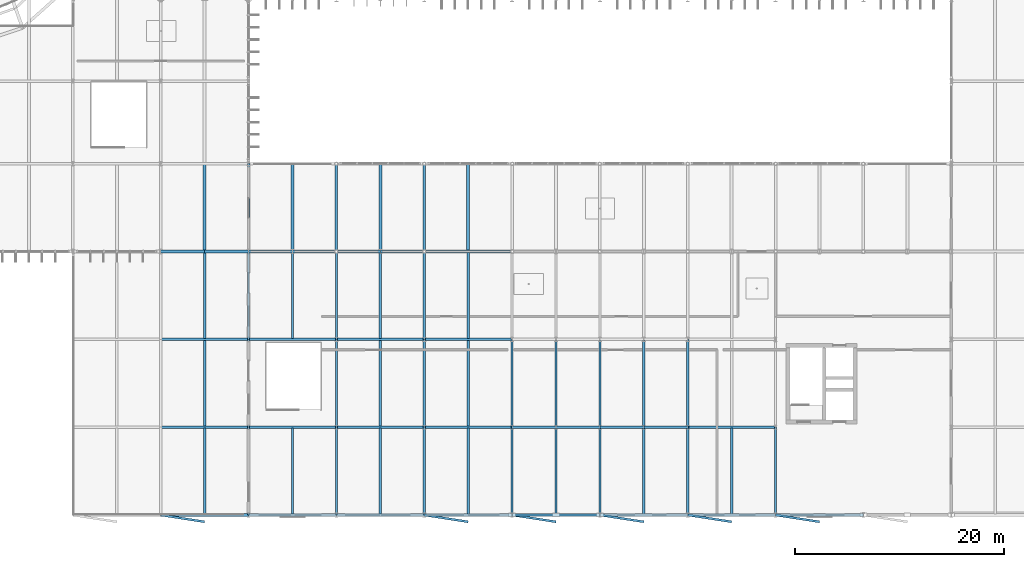
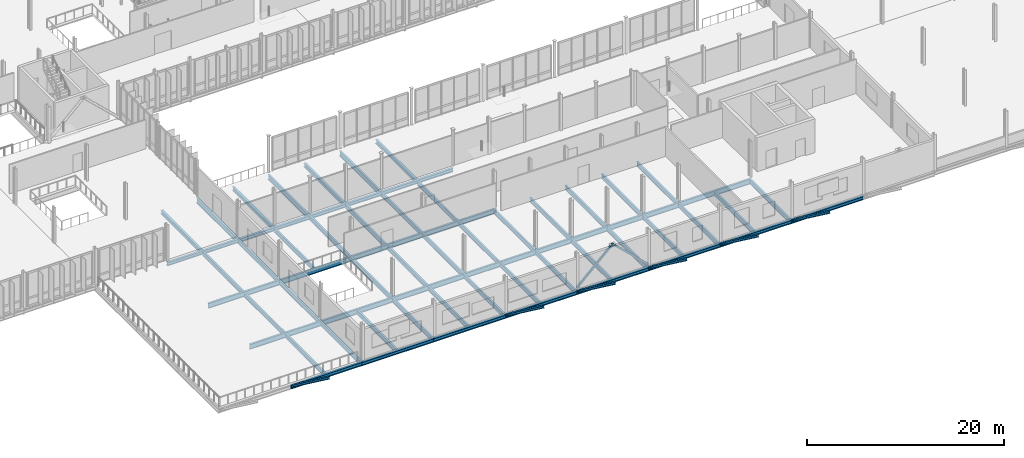
# One storey, part 33 of 139: 73 beams, 2 members.
"""IFC4 building model written with IfcOpenShell, lengths in metres."""

from ifc_helpers import new_model, si_unit, derived_unit, direction, frame, origin, origin_2d, place, context, subcontext, project, spatial, hollow_rectangle, i_section, extrude, material, material_profile, profile_set, type_object, element, save


model = new_model("IFC4")

# Units and contexts
model_context = context("Model", 3, precision=1e-05, world=origin(), true_north=direction((0.0, 1.0)))
body_context = subcontext(model_context, "Body", "Model", "MODEL_VIEW")
ifc_project = project(units=[si_unit("LENGTHUNIT", "METRE"), si_unit("AREAUNIT", "SQUARE_METRE"), si_unit("VOLUMEUNIT", "CUBIC_METRE"), si_unit("PLANEANGLEUNIT", "RADIAN"), si_unit("MASSUNIT", "GRAM", prefix="KILO"), derived_unit("THERMALTRANSMITTANCEUNIT", [(si_unit("MASSUNIT", "GRAM", prefix="KILO"), 1), (si_unit("TIMEUNIT", "SECOND"), -3), (si_unit("THERMODYNAMICTEMPERATUREUNIT", "KELVIN"), -1)])], contexts=[model_context])

# Site, building, storey
site_placement = place(None, origin())
site = spatial("IfcSite", under=ifc_project, at=site_placement, CompositionType="ELEMENT")
building_placement = place(site_placement, origin())
building = spatial("IfcBuilding", under=site, at=building_placement, Name="Makaiwela Harbour Ferry Terminal", CompositionType="ELEMENT")
storey_placement = place(building_placement, frame((0.0, 0.0, 5.10009765625)))
storey = spatial("IfcBuildingStorey", under=building, at=storey_placement, Name="L01", CompositionType="ELEMENT", Elevation=5.10009765625)

# Beams
ifc_material_1 = material(Name="Steel ASTM A992 Grade 50", Category="steel")
ifc_material_profile_1 = material_profile(ifc_material_1, i_section(OverallWidth=0.280029296875, OverallDepth=0.462890625, WebThickness=0.0107421875, FlangeThickness=0.017333984375, at=origin_2d()), Name="W18X76")
ifc_profile_set_1 = profile_set([ifc_material_profile_1], Name="Steel ASTM A992 Grade 50")
beam_type_1 = type_object("IfcBeamType", Name="STR-BM-W18X76", PredefinedType="BEAM", material=ifc_profile_set_1)
for number, where, z_axis, x_axis, name in (
    (1, (67.199951171875, 25.314453125, -0.51171875), (0.0, 1.0, 0.0), (-1.0, 0.0, 0.0), "Secondary floor beam 1078"),
    (2, (75.60009765625, 25.314453125, -0.551513671875), (0.0, 1.0, 0.0), (-1.0, 0.0, 0.0), "Secondary floor beam 1088"),
    (3, (84.0, 25.314453125, -0.551513671875), (0.0, 1.0, 0.0), (-1.0, 0.0, 0.0), "Secondary floor beam 1097"),
    (4, (92.39990234375, 25.314453125, -0.551513671875), (0.0, 1.0, 0.0), (-1.0, 0.0, 0.0), "Secondary floor beam 1105"),
):
    element("IfcBeam", number, at=place(storey_placement, frame(where, z_axis=z_axis, x_axis=x_axis)), inside=storey, type_object=beam_type_1, Name=name, PredefinedType="BEAM", context=body_context, shape_type="SweptSolid", body=[
        extrude(i_section(OverallWidth=0.280029296875, OverallDepth=0.462890625, WebThickness=0.0107421875, FlangeThickness=0.017333984375, at=origin_2d()), origin(), (0.0, 0.0, 1.0), 8.18896484375),
    ])
ifc_material_profile_2 = material_profile(ifc_material_1, i_section(OverallWidth=0.214111328125, OverallDepth=0.549072265625, WebThickness=0.0146484375, FlangeThickness=0.023681640625, at=origin_2d()), Name="W21X93")
ifc_profile_set_2 = profile_set([ifc_material_profile_2], Name="Steel ASTM A992 Grade 50")
beam_type_2 = type_object("IfcBeamType", Name="STR-BM-W21X93", PredefinedType="BEAM", material=ifc_profile_set_2)
beam_1_placement = place(storey_placement, frame((71.39990234375, 0.0, -0.57470703125), z_axis=(0.0, 1.0, 0.0), x_axis=(-1.0, 0.0, 0.0)))
element("IfcBeam", 5, at=beam_1_placement, inside=storey, type_object=beam_type_2, Name="Primary Y girder 934", PredefinedType="BEAM", context=body_context, shape_type="SweptSolid", body=[
    extrude(i_section(OverallWidth=0.214111328125, OverallDepth=0.549072265625, WebThickness=0.0146484375, FlangeThickness=0.023681640625, at=origin_2d()), origin(), (0.0, 0.0, 1.0), 8.39990234375),
])
beam_2_placement = place(storey_placement, frame((71.39990234375, 8.39990234375, -0.57470703125), z_axis=(0.0, 1.0, 0.0), x_axis=(-1.0, 0.0, 0.0)))
element("IfcBeam", 6, at=beam_2_placement, inside=storey, type_object=beam_type_2, Name="Primary Y girder 935", PredefinedType="BEAM", context=body_context, shape_type="SweptSolid", body=[
    extrude(i_section(OverallWidth=0.214111328125, OverallDepth=0.549072265625, WebThickness=0.0146484375, FlangeThickness=0.023681640625, at=origin_2d()), origin(), (0.0, 0.0, 1.0), 8.400146484375),
])
for number, where, z_axis, x_axis, name in (
    (7, (71.39990234375, 16.800048828125, -0.57470703125), (0.0, 1.0, 0.0), (-1.0, 0.0, 0.0), "Primary Y girder 936"),
    (8, (79.800048828125, 0.0, -0.57470703125), (0.0, 1.0, 0.0), (-1.0, 0.0, 0.0), "Primary Y girder 946"),
):
    element("IfcBeam", number, at=place(storey_placement, frame(where, z_axis=z_axis, x_axis=x_axis)), inside=storey, type_object=beam_type_2, Name=name, PredefinedType="BEAM", context=body_context, shape_type="SweptSolid", body=[
        extrude(i_section(OverallWidth=0.214111328125, OverallDepth=0.549072265625, WebThickness=0.0146484375, FlangeThickness=0.023681640625, at=origin_2d()), origin(), (0.0, 0.0, 1.0), 8.39990234375),
    ])
beam_3_placement = place(storey_placement, frame((79.800048828125, 8.39990234375, -0.57470703125), z_axis=(0.0, 1.0, 0.0), x_axis=(-1.0, 0.0, 0.0)))
element("IfcBeam", 9, at=beam_3_placement, inside=storey, type_object=beam_type_2, Name="Primary Y girder 947", PredefinedType="BEAM", context=body_context, shape_type="SweptSolid", body=[
    extrude(i_section(OverallWidth=0.214111328125, OverallDepth=0.549072265625, WebThickness=0.0146484375, FlangeThickness=0.023681640625, at=origin_2d()), origin(), (0.0, 0.0, 1.0), 8.400146484375),
])
for number, where, z_axis, x_axis, name in (
    (10, (79.800048828125, 16.800048828125, -0.57470703125), (0.0, 1.0, 0.0), (-1.0, 0.0, 0.0), "Primary Y girder 948"),
    (11, (88.199951171875, 0.0, -0.57470703125), (0.0, 1.0, 0.0), (-1.0, 0.0, 0.0), "Primary Y girder 956"),
):
    element("IfcBeam", number, at=place(storey_placement, frame(where, z_axis=z_axis, x_axis=x_axis)), inside=storey, type_object=beam_type_2, Name=name, PredefinedType="BEAM", context=body_context, shape_type="SweptSolid", body=[
        extrude(i_section(OverallWidth=0.214111328125, OverallDepth=0.549072265625, WebThickness=0.0146484375, FlangeThickness=0.023681640625, at=origin_2d()), origin(), (0.0, 0.0, 1.0), 8.39990234375),
    ])
beam_4_placement = place(storey_placement, frame((88.199951171875, 8.39990234375, -0.57470703125), z_axis=(0.0, 1.0, 0.0), x_axis=(-1.0, 0.0, 0.0)))
element("IfcBeam", 12, at=beam_4_placement, inside=storey, type_object=beam_type_2, Name="Primary Y girder 957", PredefinedType="BEAM", context=body_context, shape_type="SweptSolid", body=[
    extrude(i_section(OverallWidth=0.214111328125, OverallDepth=0.549072265625, WebThickness=0.0146484375, FlangeThickness=0.023681640625, at=origin_2d()), origin(), (0.0, 0.0, 1.0), 8.400146484375),
])
for number, where, z_axis, x_axis, name in (
    (13, (88.199951171875, 16.800048828125, -0.57470703125), (0.0, 1.0, 0.0), (-1.0, 0.0, 0.0), "Primary Y girder 958"),
    (14, (96.60009765625, 0.0, -0.57470703125), (0.0, 1.0, 0.0), (-1.0, 0.0, 0.0), "Primary Y girder 964"),
):
    element("IfcBeam", number, at=place(storey_placement, frame(where, z_axis=z_axis, x_axis=x_axis)), inside=storey, type_object=beam_type_2, Name=name, PredefinedType="BEAM", context=body_context, shape_type="SweptSolid", body=[
        extrude(i_section(OverallWidth=0.214111328125, OverallDepth=0.549072265625, WebThickness=0.0146484375, FlangeThickness=0.023681640625, at=origin_2d()), origin(), (0.0, 0.0, 1.0), 8.39990234375),
    ])
beam_5_placement = place(storey_placement, frame((96.60009765625, 8.39990234375, -0.57470703125), z_axis=(0.0, 1.0, 0.0), x_axis=(-1.0, 0.0, 0.0)))
element("IfcBeam", 15, at=beam_5_placement, inside=storey, type_object=beam_type_2, Name="Primary Y girder 965", PredefinedType="BEAM", context=body_context, shape_type="SweptSolid", body=[
    extrude(i_section(OverallWidth=0.214111328125, OverallDepth=0.549072265625, WebThickness=0.0146484375, FlangeThickness=0.023681640625, at=origin_2d()), origin(), (0.0, 0.0, 1.0), 8.400146484375),
])
beam_6_placement = place(storey_placement, frame((105.0, 0.0, -0.57470703125), z_axis=(0.0, 1.0, 0.0), x_axis=(-1.0, 0.0, 0.0)))
element("IfcBeam", 16, at=beam_6_placement, inside=storey, type_object=beam_type_2, Name="Primary Y girder 972", PredefinedType="BEAM", context=body_context, shape_type="SweptSolid", body=[
    extrude(i_section(OverallWidth=0.214111328125, OverallDepth=0.549072265625, WebThickness=0.0146484375, FlangeThickness=0.023681640625, at=origin_2d()), origin(), (0.0, 0.0, 1.0), 8.39990234375),
])
beam_7_placement = place(storey_placement, frame((105.0, 8.39990234375, -0.57470703125), z_axis=(0.0, 1.0, 0.0), x_axis=(-1.0, 0.0, 0.0)))
element("IfcBeam", 17, at=beam_7_placement, inside=storey, type_object=beam_type_2, Name="Primary Y girder 973", PredefinedType="BEAM", context=body_context, shape_type="SweptSolid", body=[
    extrude(i_section(OverallWidth=0.214111328125, OverallDepth=0.549072265625, WebThickness=0.0146484375, FlangeThickness=0.023681640625, at=origin_2d()), origin(), (0.0, 0.0, 1.0), 8.400146484375),
])
beam_8_placement = place(storey_placement, frame((113.39990234375, 0.0, -0.57470703125), z_axis=(0.0, 1.0, 0.0), x_axis=(-1.0, 0.0, 0.0)))
element("IfcBeam", 18, at=beam_8_placement, inside=storey, type_object=beam_type_2, Name="Primary Y girder 980", PredefinedType="BEAM", context=body_context, shape_type="SweptSolid", body=[
    extrude(i_section(OverallWidth=0.214111328125, OverallDepth=0.549072265625, WebThickness=0.0146484375, FlangeThickness=0.023681640625, at=origin_2d()), origin(), (0.0, 0.0, 1.0), 8.39990234375),
])
beam_9_placement = place(storey_placement, frame((113.39990234375, 8.39990234375, -0.57470703125), z_axis=(0.0, 1.0, 0.0), x_axis=(-1.0, 0.0, 0.0)))
element("IfcBeam", 19, at=beam_9_placement, inside=storey, type_object=beam_type_2, Name="Primary Y girder 981", PredefinedType="BEAM", context=body_context, shape_type="SweptSolid", body=[
    extrude(i_section(OverallWidth=0.214111328125, OverallDepth=0.549072265625, WebThickness=0.0146484375, FlangeThickness=0.023681640625, at=origin_2d()), origin(), (0.0, 0.0, 1.0), 8.400146484375),
])
beam_10_placement = place(storey_placement, frame((121.800048828125, 0.0, -0.57470703125), z_axis=(0.0, 1.0, 0.0), x_axis=(-1.0, 0.0, 0.0)))
element("IfcBeam", 20, at=beam_10_placement, inside=storey, type_object=beam_type_2, Name="Primary Y girder 990", PredefinedType="BEAM", context=body_context, shape_type="SweptSolid", body=[
    extrude(i_section(OverallWidth=0.214111328125, OverallDepth=0.549072265625, WebThickness=0.0146484375, FlangeThickness=0.023681640625, at=origin_2d()), origin(), (0.0, 0.0, 1.0), 8.39990234375),
])
beam_11_placement = place(storey_placement, frame((67.199951171875, 0.114501953125, -0.5546875), z_axis=(0.0, 1.0, 0.0), x_axis=(-1.0, 0.0, 0.0)))
element("IfcBeam", 21, at=beam_11_placement, inside=storey, type_object=beam_type_2, Name="Secondary floor beam 1075", PredefinedType="BEAM", context=body_context, shape_type="SweptSolid", body=[
    extrude(i_section(OverallWidth=0.214111328125, OverallDepth=0.549072265625, WebThickness=0.0146484375, FlangeThickness=0.023681640625, at=origin_2d()), origin(), (0.0, 0.0, 1.0), 8.18896484375),
])
beam_12_placement = place(storey_placement, frame((67.199951171875, 8.49658203125, -0.5546875), z_axis=(0.0, 1.0, 0.0), x_axis=(-1.0, 0.0, 0.0)))
element("IfcBeam", 22, at=beam_12_placement, inside=storey, type_object=beam_type_2, Name="Secondary floor beam 1076", PredefinedType="BEAM", context=body_context, shape_type="SweptSolid", body=[
    extrude(i_section(OverallWidth=0.214111328125, OverallDepth=0.549072265625, WebThickness=0.0146484375, FlangeThickness=0.023681640625, at=origin_2d()), origin(), (0.0, 0.0, 1.0), 8.20703125),
])
for number, where, z_axis, x_axis, name in (
    (23, (67.199951171875, 16.896484375, -0.5546875), (0.0, 1.0, 0.0), (-1.0, 0.0, 0.0), "Secondary floor beam 1077"),
    (24, (75.60009765625, 0.114501953125, -0.57470703125), (0.0, 1.0, 0.0), (-1.0, 0.0, 0.0), "Secondary floor beam 1086"),
    (25, (75.60009765625, 16.896484375, -0.594482421875), (0.0, 1.0, 0.0), (-1.0, 0.0, 0.0), "Secondary floor beam 1087"),
    (26, (84.0, 0.114501953125, -0.57470703125), (0.0, 1.0, 0.0), (-1.0, 0.0, 0.0), "Secondary floor beam 1094"),
):
    element("IfcBeam", number, at=place(storey_placement, frame(where, z_axis=z_axis, x_axis=x_axis)), inside=storey, type_object=beam_type_2, Name=name, PredefinedType="BEAM", context=body_context, shape_type="SweptSolid", body=[
        extrude(i_section(OverallWidth=0.214111328125, OverallDepth=0.549072265625, WebThickness=0.0146484375, FlangeThickness=0.023681640625, at=origin_2d()), origin(), (0.0, 0.0, 1.0), 8.18896484375),
    ])
beam_13_placement = place(storey_placement, frame((84.0, 8.49658203125, -0.57470703125), z_axis=(0.0, 1.0, 0.0), x_axis=(-1.0, 0.0, 0.0)))
element("IfcBeam", 27, at=beam_13_placement, inside=storey, type_object=beam_type_2, Name="Secondary floor beam 1095", PredefinedType="BEAM", context=body_context, shape_type="SweptSolid", body=[
    extrude(i_section(OverallWidth=0.214111328125, OverallDepth=0.549072265625, WebThickness=0.0146484375, FlangeThickness=0.023681640625, at=origin_2d()), origin(), (0.0, 0.0, 1.0), 8.20703125),
])
for number, where, z_axis, x_axis, name in (
    (28, (84.0, 16.896484375, -0.594482421875), (0.0, 1.0, 0.0), (-1.0, 0.0, 0.0), "Secondary floor beam 1096"),
    (29, (92.39990234375, 0.114501953125, -0.57470703125), (0.0, 1.0, 0.0), (-1.0, 0.0, 0.0), "Secondary floor beam 1102"),
):
    element("IfcBeam", number, at=place(storey_placement, frame(where, z_axis=z_axis, x_axis=x_axis)), inside=storey, type_object=beam_type_2, Name=name, PredefinedType="BEAM", context=body_context, shape_type="SweptSolid", body=[
        extrude(i_section(OverallWidth=0.214111328125, OverallDepth=0.549072265625, WebThickness=0.0146484375, FlangeThickness=0.023681640625, at=origin_2d()), origin(), (0.0, 0.0, 1.0), 8.18896484375),
    ])
beam_14_placement = place(storey_placement, frame((92.39990234375, 8.49658203125, -0.57470703125), z_axis=(0.0, 1.0, 0.0), x_axis=(-1.0, 0.0, 0.0)))
element("IfcBeam", 30, at=beam_14_placement, inside=storey, type_object=beam_type_2, Name="Secondary floor beam 1103", PredefinedType="BEAM", context=body_context, shape_type="SweptSolid", body=[
    extrude(i_section(OverallWidth=0.214111328125, OverallDepth=0.549072265625, WebThickness=0.0146484375, FlangeThickness=0.023681640625, at=origin_2d()), origin(), (0.0, 0.0, 1.0), 8.20703125),
])
for number, where, z_axis, x_axis, name in (
    (31, (92.39990234375, 16.896484375, -0.594482421875), (0.0, 1.0, 0.0), (-1.0, 0.0, 0.0), "Secondary floor beam 1104"),
    (32, (100.800048828125, 0.114501953125, -0.57470703125), (0.0, 1.0, 0.0), (-1.0, 0.0, 0.0), "Secondary floor beam 1110"),
):
    element("IfcBeam", number, at=place(storey_placement, frame(where, z_axis=z_axis, x_axis=x_axis)), inside=storey, type_object=beam_type_2, Name=name, PredefinedType="BEAM", context=body_context, shape_type="SweptSolid", body=[
        extrude(i_section(OverallWidth=0.214111328125, OverallDepth=0.549072265625, WebThickness=0.0146484375, FlangeThickness=0.023681640625, at=origin_2d()), origin(), (0.0, 0.0, 1.0), 8.18896484375),
    ])
beam_15_placement = place(storey_placement, frame((100.800048828125, 8.49658203125, -0.57470703125), z_axis=(0.0, 1.0, 0.0), x_axis=(-1.0, 0.0, 0.0)))
element("IfcBeam", 33, at=beam_15_placement, inside=storey, type_object=beam_type_2, Name="Secondary floor beam 1111", PredefinedType="BEAM", context=body_context, shape_type="SweptSolid", body=[
    extrude(i_section(OverallWidth=0.214111328125, OverallDepth=0.549072265625, WebThickness=0.0146484375, FlangeThickness=0.023681640625, at=origin_2d()), origin(), (0.0, 0.0, 1.0), 8.20703125),
])
beam_16_placement = place(storey_placement, frame((109.199951171875, 0.114501953125, -0.57470703125), z_axis=(0.0, 1.0, 0.0), x_axis=(-1.0, 0.0, 0.0)))
element("IfcBeam", 34, at=beam_16_placement, inside=storey, type_object=beam_type_2, Name="Secondary floor beam 1118", PredefinedType="BEAM", context=body_context, shape_type="SweptSolid", body=[
    extrude(i_section(OverallWidth=0.214111328125, OverallDepth=0.549072265625, WebThickness=0.0146484375, FlangeThickness=0.023681640625, at=origin_2d()), origin(), (0.0, 0.0, 1.0), 8.18896484375),
])
beam_17_placement = place(storey_placement, frame((109.199951171875, 8.49658203125, -0.57470703125), z_axis=(0.0, 1.0, 0.0), x_axis=(-1.0, 0.0, 0.0)))
element("IfcBeam", 35, at=beam_17_placement, inside=storey, type_object=beam_type_2, Name="Secondary floor beam 1119", PredefinedType="BEAM", context=body_context, shape_type="SweptSolid", body=[
    extrude(i_section(OverallWidth=0.214111328125, OverallDepth=0.549072265625, WebThickness=0.0146484375, FlangeThickness=0.023681640625, at=origin_2d()), origin(), (0.0, 0.0, 1.0), 8.20703125),
])
beam_18_placement = place(storey_placement, frame((117.60009765625, 0.114501953125, -0.57470703125), z_axis=(0.0, 1.0, 0.0), x_axis=(-1.0, 0.0, 0.0)))
element("IfcBeam", 36, at=beam_18_placement, inside=storey, type_object=beam_type_2, Name="Secondary floor beam 1126", PredefinedType="BEAM", context=body_context, shape_type="SweptSolid", body=[
    extrude(i_section(OverallWidth=0.214111328125, OverallDepth=0.549072265625, WebThickness=0.0146484375, FlangeThickness=0.023681640625, at=origin_2d()), origin(), (0.0, 0.0, 1.0), 8.18896484375),
])

# Members
ifc_material_2 = material(Name="Steel ASTM A500 Grade C", Category="steel")
ifc_material_profile_3 = material_profile(ifc_material_2, hollow_rectangle(XDim=0.202880859375, YDim=0.202880859375, WallThickness=0.01171875, at=origin_2d()), Name="HSS8X8X1/2")
ifc_profile_set_3 = profile_set([ifc_material_profile_3], Name="Steel ASTM A500 Grade C")
member_type = type_object("IfcMemberType", Name="STR-BRC-HSS8", PredefinedType="BRACE", material=ifc_profile_set_3)
for number, where, z_axis, x_axis, name in (
    (37, (96.60009765625, 0.0, 0.0498046875), (0.724596537153, 0.0, 0.689173315172), (0.0, 1.0, 0.0), "Lateral chevron brace 4A"),
    (38, (105.0, 0.0, 0.0498046875), (-0.724596537153, 0.0, 0.689173315172), (0.0, -1.0, 0.0), "Lateral chevron brace 4B"),
):
    element("IfcMember", number, at=place(storey_placement, frame(where, z_axis=z_axis, x_axis=x_axis)), inside=storey, type_object=member_type, Name=name, PredefinedType="BRACE", context=body_context, shape_type="SweptSolid", body=[
        extrude(hollow_rectangle(XDim=0.202880859375, YDim=0.202880859375, WallThickness=0.01171875, at=origin_2d()), origin(), (0.0, 0.0, 1.0), 5.796142578125),
    ])

# Beams
ifc_material_profile_4 = material_profile(ifc_material_1, i_section(OverallWidth=0.22900390625, OverallDepth=0.612060546875, WebThickness=0.011962890625, FlangeThickness=0.01953125, at=origin_2d()), Name="W24X84")
ifc_profile_set_4 = profile_set([ifc_material_profile_4], Name="Steel ASTM A992 Grade 50")
beam_type_3 = type_object("IfcBeamType", Name="STR-GRD-W24X84", PredefinedType="USERDEFINED", material=ifc_profile_set_4)
beam_19_placement = place(storey_placement, frame((63.0, 8.39990234375, -0.586181640625), z_axis=(1.0, 0.0, 0.0), x_axis=(0.0, 1.0, 0.0)))
element("IfcBeam", 39, at=beam_19_placement, inside=storey, type_object=beam_type_3, Name="Primary X girder 727", ObjectType="GIRDER", PredefinedType="USERDEFINED", context=body_context, shape_type="SweptSolid", body=[
    extrude(i_section(OverallWidth=0.22900390625, OverallDepth=0.612060546875, WebThickness=0.011962890625, FlangeThickness=0.01953125, at=origin_2d()), origin(), (0.0, 0.0, 1.0), 8.39990234375),
])
beam_20_placement = place(storey_placement, frame((71.39990234375, 8.39990234375, -0.606201171875), z_axis=(1.0, 0.0, 0.0), x_axis=(0.0, 1.0, 0.0)))
element("IfcBeam", 40, at=beam_20_placement, inside=storey, type_object=beam_type_3, Name="Primary X girder 728", ObjectType="GIRDER", PredefinedType="USERDEFINED", context=body_context, shape_type="SweptSolid", body=[
    extrude(i_section(OverallWidth=0.22900390625, OverallDepth=0.612060546875, WebThickness=0.011962890625, FlangeThickness=0.01953125, at=origin_2d()), origin(), (0.0, 0.0, 1.0), 8.400146484375),
])
beam_21_placement = place(storey_placement, frame((79.800048828125, 8.39990234375, -0.606201171875), z_axis=(1.0, 0.0, 0.0), x_axis=(0.0, 1.0, 0.0)))
element("IfcBeam", 41, at=beam_21_placement, inside=storey, type_object=beam_type_3, Name="Primary X girder 729", ObjectType="GIRDER", PredefinedType="USERDEFINED", context=body_context, shape_type="SweptSolid", body=[
    extrude(i_section(OverallWidth=0.22900390625, OverallDepth=0.612060546875, WebThickness=0.011962890625, FlangeThickness=0.01953125, at=origin_2d()), origin(), (0.0, 0.0, 1.0), 8.39990234375),
])
beam_22_placement = place(storey_placement, frame((88.199951171875, 8.39990234375, -0.606201171875), z_axis=(1.0, 0.0, 0.0), x_axis=(0.0, 1.0, 0.0)))
element("IfcBeam", 42, at=beam_22_placement, inside=storey, type_object=beam_type_3, Name="Primary X girder 730", ObjectType="GIRDER", PredefinedType="USERDEFINED", context=body_context, shape_type="SweptSolid", body=[
    extrude(i_section(OverallWidth=0.22900390625, OverallDepth=0.612060546875, WebThickness=0.011962890625, FlangeThickness=0.01953125, at=origin_2d()), origin(), (0.0, 0.0, 1.0), 8.400146484375),
])
for number, where, z_axis, x_axis, name in (
    (43, (96.60009765625, 8.39990234375, -0.606201171875), (1.0, 0.0, 0.0), (0.0, 1.0, 0.0), "Primary X girder 731"),
    (44, (100.800048828125, 8.39990234375, -0.606201171875), (1.0, 0.0, 0.0), (0.0, 1.0, 0.0), "Primary X girder 732"),
    (45, (105.0, 8.39990234375, -0.606201171875), (1.0, 0.0, 0.0), (0.0, 1.0, 0.0), "Primary X girder 733"),
    (46, (109.199951171875, 8.39990234375, -0.606201171875), (1.0, 0.0, 0.0), (0.0, 1.0, 0.0), "Primary X girder 734"),
):
    element("IfcBeam", number, at=place(storey_placement, frame(where, z_axis=z_axis, x_axis=x_axis)), inside=storey, type_object=beam_type_3, Name=name, ObjectType="GIRDER", PredefinedType="USERDEFINED", context=body_context, shape_type="SweptSolid", body=[
        extrude(i_section(OverallWidth=0.22900390625, OverallDepth=0.612060546875, WebThickness=0.011962890625, FlangeThickness=0.01953125, at=origin_2d()), origin(), (0.0, 0.0, 1.0), 4.199951171875),
    ])
beam_23_placement = place(storey_placement, frame((113.39990234375, 8.39990234375, -0.606201171875), z_axis=(1.0, 0.0, 0.0), x_axis=(0.0, 1.0, 0.0)))
element("IfcBeam", 47, at=beam_23_placement, inside=storey, type_object=beam_type_3, Name="Primary X girder 735", ObjectType="GIRDER", PredefinedType="USERDEFINED", context=body_context, shape_type="SweptSolid", body=[
    extrude(i_section(OverallWidth=0.22900390625, OverallDepth=0.612060546875, WebThickness=0.011962890625, FlangeThickness=0.01953125, at=origin_2d()), origin(), (0.0, 0.0, 1.0), 8.400146484375),
])
beam_24_placement = place(storey_placement, frame((63.0, 16.800048828125, -0.586181640625), z_axis=(1.0, 0.0, 0.0), x_axis=(0.0, 1.0, 0.0)))
element("IfcBeam", 48, at=beam_24_placement, inside=storey, type_object=beam_type_3, Name="Primary X girder 741", ObjectType="GIRDER", PredefinedType="USERDEFINED", context=body_context, shape_type="SweptSolid", body=[
    extrude(i_section(OverallWidth=0.22900390625, OverallDepth=0.612060546875, WebThickness=0.011962890625, FlangeThickness=0.01953125, at=origin_2d()), origin(), (0.0, 0.0, 1.0), 8.39990234375),
])
beam_25_placement = place(storey_placement, frame((71.39990234375, 16.800048828125, -0.606201171875), z_axis=(1.0, 0.0, 0.0), x_axis=(0.0, 1.0, 0.0)))
element("IfcBeam", 49, at=beam_25_placement, inside=storey, type_object=beam_type_3, Name="Primary X girder 742", ObjectType="GIRDER", PredefinedType="USERDEFINED", context=body_context, shape_type="SweptSolid", body=[
    extrude(i_section(OverallWidth=0.22900390625, OverallDepth=0.612060546875, WebThickness=0.011962890625, FlangeThickness=0.01953125, at=origin_2d()), origin(), (0.0, 0.0, 1.0), 8.400146484375),
])
beam_26_placement = place(storey_placement, frame((79.800048828125, 16.800048828125, -0.606201171875), z_axis=(1.0, 0.0, 0.0), x_axis=(0.0, 1.0, 0.0)))
element("IfcBeam", 50, at=beam_26_placement, inside=storey, type_object=beam_type_3, Name="Primary X girder 743", ObjectType="GIRDER", PredefinedType="USERDEFINED", context=body_context, shape_type="SweptSolid", body=[
    extrude(i_section(OverallWidth=0.22900390625, OverallDepth=0.612060546875, WebThickness=0.011962890625, FlangeThickness=0.01953125, at=origin_2d()), origin(), (0.0, 0.0, 1.0), 8.39990234375),
])
for number, where, z_axis, x_axis, name in (
    (51, (88.199951171875, 16.800048828125, -0.606201171875), (1.0, 0.0, 0.0), (0.0, 1.0, 0.0), "Primary X girder 744"),
    (52, (71.39990234375, 25.199951171875, -0.586181640625), (0.0, 1.0, 0.0), (-1.0, 0.0, 0.0), "Primary Y girder 937"),
    (53, (79.800048828125, 25.199951171875, -0.6259765625), (0.0, 1.0, 0.0), (-1.0, 0.0, 0.0), "Primary Y girder 949"),
    (54, (88.199951171875, 25.199951171875, -0.6259765625), (0.0, 1.0, 0.0), (-1.0, 0.0, 0.0), "Primary Y girder 959"),
):
    element("IfcBeam", number, at=place(storey_placement, frame(where, z_axis=z_axis, x_axis=x_axis)), inside=storey, type_object=beam_type_3, Name=name, ObjectType="GIRDER", PredefinedType="USERDEFINED", context=body_context, shape_type="SweptSolid", body=[
        extrude(i_section(OverallWidth=0.22900390625, OverallDepth=0.612060546875, WebThickness=0.011962890625, FlangeThickness=0.01953125, at=origin_2d()), origin(), (0.0, 0.0, 1.0), 8.400146484375),
    ])
ifc_material_profile_5 = material_profile(ifc_material_1, i_section(OverallWidth=0.205078125, OverallDepth=0.31005859375, WebThickness=0.009521484375, FlangeThickness=0.016357421875, at=origin_2d()), Name="W12X50")
ifc_profile_set_5 = profile_set([ifc_material_profile_5], Name="Steel ASTM A992 Grade 50")
beam_type_4 = type_object("IfcBeamType", Name="STR-LNT-W12X50", PredefinedType="LINTEL", material=ifc_profile_set_5)
for number, where, z_axis, x_axis, name in (
    (55, (67.199951171875, -0.64990234375, -0.400146484375), (-0.988238498139, 0.15292047213, 0.0), (-0.15292047213, -0.988238498139, 0.0), "Structural Beam LN-01"),
    (56, (92.39990234375, -0.64990234375, -0.400146484375), (-0.988238498139, 0.15292047213, 0.0), (-0.15292047213, -0.988238498139, 0.0), "Structural Beam LN-01"),
    (57, (100.800048828125, -0.64990234375, -0.400146484375), (-0.988238498139, 0.15292047213, 0.0), (-0.15292047213, -0.988238498139, 0.0), "Structural Beam LN-01"),
    (58, (109.199951171875, -0.64990234375, -0.400146484375), (-0.988238498139, 0.15292047213, 0.0), (-0.15292047213, -0.988238498139, 0.0), "Structural Beam LN-01"),
):
    element("IfcBeam", number, at=place(storey_placement, frame(where, z_axis=z_axis, x_axis=x_axis)), inside=storey, type_object=beam_type_4, Name=name, PredefinedType="LINTEL", context=body_context, shape_type="SweptSolid", body=[
        extrude(i_section(OverallWidth=0.205078125, OverallDepth=0.31005859375, WebThickness=0.009521484375, FlangeThickness=0.016357421875, at=origin_2d()), origin(), (0.0, 0.0, 1.0), 4.25),
    ])
beam_27_placement = place(storey_placement, frame((117.60009765625, -0.64990234375, -0.400146484375), z_axis=(-0.988239841373, 0.152911791312, 0.0), x_axis=(-0.152911791312, -0.988239841373, 0.0)))
element("IfcBeam", 59, at=beam_27_placement, inside=storey, type_object=beam_type_4, Name="Structural Beam LN-01", PredefinedType="LINTEL", context=body_context, shape_type="SweptSolid", body=[
    extrude(i_section(OverallWidth=0.205078125, OverallDepth=0.31005859375, WebThickness=0.009521484375, FlangeThickness=0.016357421875, at=origin_2d()), origin(), (0.0, 0.0, 1.0), 4.250244140625),
])
beam_28_placement = place(storey_placement, frame((126.0, -0.64990234375, -0.400146484375), z_axis=(-0.988238498139, 0.15292047213, 0.0), x_axis=(-0.15292047213, -0.988238498139, 0.0)))
element("IfcBeam", 60, at=beam_28_placement, inside=storey, type_object=beam_type_4, Name="Structural Beam LN-01", PredefinedType="LINTEL", context=body_context, shape_type="SweptSolid", body=[
    extrude(i_section(OverallWidth=0.205078125, OverallDepth=0.31005859375, WebThickness=0.009521484375, FlangeThickness=0.016357421875, at=origin_2d()), origin(), (0.0, 0.0, 1.0), 4.25),
])
ifc_material_profile_6 = material_profile(ifc_material_1, i_section(OverallWidth=0.264892578125, OverallDepth=0.430908203125, WebThickness=0.014892578125, FlangeThickness=0.02490234375, at=origin_2d()), Name="W16X100")
ifc_profile_set_6 = profile_set([ifc_material_profile_6], Name="Steel ASTM A992 Grade 50")
beam_type_5 = type_object("IfcBeamType", Name="STR-SPN-W16X100", PredefinedType="SPANDREL", material=ifc_profile_set_6)
beam_29_placement = place(storey_placement, frame((63.0, 0.0, -0.49560546875), z_axis=(1.0, 0.0, 0.0), x_axis=(0.0, 1.0, 0.0)))
element("IfcBeam", 61, at=beam_29_placement, inside=storey, type_object=beam_type_5, Name="Primary X girder 713", PredefinedType="SPANDREL", context=body_context, shape_type="SweptSolid", body=[
    extrude(i_section(OverallWidth=0.264892578125, OverallDepth=0.430908203125, WebThickness=0.014892578125, FlangeThickness=0.02490234375, at=origin_2d()), origin(), (0.0, 0.0, 1.0), 8.39990234375),
])
beam_30_placement = place(storey_placement, frame((71.39990234375, 0.0, -0.515625), z_axis=(1.0, 0.0, 0.0), x_axis=(0.0, 1.0, 0.0)))
element("IfcBeam", 62, at=beam_30_placement, inside=storey, type_object=beam_type_5, Name="Primary X girder 714", PredefinedType="SPANDREL", context=body_context, shape_type="SweptSolid", body=[
    extrude(i_section(OverallWidth=0.264892578125, OverallDepth=0.430908203125, WebThickness=0.014892578125, FlangeThickness=0.02490234375, at=origin_2d()), origin(), (0.0, 0.0, 1.0), 8.400146484375),
])
beam_31_placement = place(storey_placement, frame((79.800048828125, 0.0, -0.515625), z_axis=(1.0, 0.0, 0.0), x_axis=(0.0, 1.0, 0.0)))
element("IfcBeam", 63, at=beam_31_placement, inside=storey, type_object=beam_type_5, Name="Primary X girder 715", PredefinedType="SPANDREL", context=body_context, shape_type="SweptSolid", body=[
    extrude(i_section(OverallWidth=0.264892578125, OverallDepth=0.430908203125, WebThickness=0.014892578125, FlangeThickness=0.02490234375, at=origin_2d()), origin(), (0.0, 0.0, 1.0), 8.39990234375),
])
beam_32_placement = place(storey_placement, frame((88.199951171875, 0.0, -0.515625), z_axis=(1.0, 0.0, 0.0), x_axis=(0.0, 1.0, 0.0)))
element("IfcBeam", 64, at=beam_32_placement, inside=storey, type_object=beam_type_5, Name="Primary X girder 716", PredefinedType="SPANDREL", context=body_context, shape_type="SweptSolid", body=[
    extrude(i_section(OverallWidth=0.264892578125, OverallDepth=0.430908203125, WebThickness=0.014892578125, FlangeThickness=0.02490234375, at=origin_2d()), origin(), (0.0, 0.0, 1.0), 8.400146484375),
])
for number, where, z_axis, x_axis, name in (
    (65, (96.60009765625, 0.0, -0.515625), (1.0, 0.0, 0.0), (0.0, 1.0, 0.0), "Primary X girder 717"),
    (66, (105.0, 0.0, -0.515625), (1.0, 0.0, 0.0), (0.0, 1.0, 0.0), "Primary X girder 718"),
):
    element("IfcBeam", number, at=place(storey_placement, frame(where, z_axis=z_axis, x_axis=x_axis)), inside=storey, type_object=beam_type_5, Name=name, PredefinedType="SPANDREL", context=body_context, shape_type="SweptSolid", body=[
        extrude(i_section(OverallWidth=0.264892578125, OverallDepth=0.430908203125, WebThickness=0.014892578125, FlangeThickness=0.02490234375, at=origin_2d()), origin(), (0.0, 0.0, 1.0), 8.39990234375),
    ])
beam_33_placement = place(storey_placement, frame((113.39990234375, 0.0, -0.515625), z_axis=(1.0, 0.0, 0.0), x_axis=(0.0, 1.0, 0.0)))
element("IfcBeam", 67, at=beam_33_placement, inside=storey, type_object=beam_type_5, Name="Primary X girder 719", PredefinedType="SPANDREL", context=body_context, shape_type="SweptSolid", body=[
    extrude(i_section(OverallWidth=0.264892578125, OverallDepth=0.430908203125, WebThickness=0.014892578125, FlangeThickness=0.02490234375, at=origin_2d()), origin(), (0.0, 0.0, 1.0), 8.400146484375),
])
beam_34_placement = place(storey_placement, frame((121.800048828125, 0.0, -0.515625), z_axis=(1.0, 0.0, 0.0), x_axis=(0.0, 1.0, 0.0)))
element("IfcBeam", 68, at=beam_34_placement, inside=storey, type_object=beam_type_5, Name="Primary X girder 720", PredefinedType="SPANDREL", context=body_context, shape_type="SweptSolid", body=[
    extrude(i_section(OverallWidth=0.264892578125, OverallDepth=0.430908203125, WebThickness=0.014892578125, FlangeThickness=0.02490234375, at=origin_2d()), origin(), (0.0, 0.0, 1.0), 8.39990234375),
])
for number, where, z_axis, x_axis, name in (
    (69, (63.0, 25.199951171875, -0.49560546875), (1.0, 0.0, 0.0), (0.0, 1.0, 0.0), "Primary X girder 758"),
    (70, (67.199951171875, 25.199951171875, -0.49560546875), (1.0, 0.0, 0.0), (0.0, 1.0, 0.0), "Primary X girder 759"),
):
    element("IfcBeam", number, at=place(storey_placement, frame(where, z_axis=z_axis, x_axis=x_axis)), inside=storey, type_object=beam_type_5, Name=name, PredefinedType="SPANDREL", context=body_context, shape_type="SweptSolid", body=[
        extrude(i_section(OverallWidth=0.264892578125, OverallDepth=0.430908203125, WebThickness=0.014892578125, FlangeThickness=0.02490234375, at=origin_2d()), origin(), (0.0, 0.0, 1.0), 4.199951171875),
    ])
beam_35_placement = place(storey_placement, frame((71.39990234375, 25.199951171875, -0.53564453125), z_axis=(1.0, 0.0, 0.0), x_axis=(0.0, 1.0, 0.0)))
element("IfcBeam", 71, at=beam_35_placement, inside=storey, type_object=beam_type_5, Name="Primary X girder 760", PredefinedType="SPANDREL", context=body_context, shape_type="SweptSolid", body=[
    extrude(i_section(OverallWidth=0.264892578125, OverallDepth=0.430908203125, WebThickness=0.014892578125, FlangeThickness=0.02490234375, at=origin_2d()), origin(), (0.0, 0.0, 1.0), 4.2001953125),
])
for number, where, z_axis, x_axis, name in (
    (72, (75.60009765625, 25.199951171875, -0.53564453125), (1.0, 0.0, 0.0), (0.0, 1.0, 0.0), "Primary X girder 761"),
    (73, (79.800048828125, 25.199951171875, -0.53564453125), (1.0, 0.0, 0.0), (0.0, 1.0, 0.0), "Primary X girder 762"),
    (74, (84.0, 25.199951171875, -0.53564453125), (1.0, 0.0, 0.0), (0.0, 1.0, 0.0), "Primary X girder 763"),
):
    element("IfcBeam", number, at=place(storey_placement, frame(where, z_axis=z_axis, x_axis=x_axis)), inside=storey, type_object=beam_type_5, Name=name, PredefinedType="SPANDREL", context=body_context, shape_type="SweptSolid", body=[
        extrude(i_section(OverallWidth=0.264892578125, OverallDepth=0.430908203125, WebThickness=0.014892578125, FlangeThickness=0.02490234375, at=origin_2d()), origin(), (0.0, 0.0, 1.0), 4.199951171875),
    ])
beam_36_placement = place(storey_placement, frame((88.199951171875, 25.199951171875, -0.53564453125), z_axis=(1.0, 0.0, 0.0), x_axis=(0.0, 1.0, 0.0)))
element("IfcBeam", 75, at=beam_36_placement, inside=storey, type_object=beam_type_5, Name="Primary X girder 764", PredefinedType="SPANDREL", context=body_context, shape_type="SweptSolid", body=[
    extrude(i_section(OverallWidth=0.264892578125, OverallDepth=0.430908203125, WebThickness=0.014892578125, FlangeThickness=0.02490234375, at=origin_2d()), origin(), (0.0, 0.0, 1.0), 8.400146484375),
])

save(model, "model.ifc")
